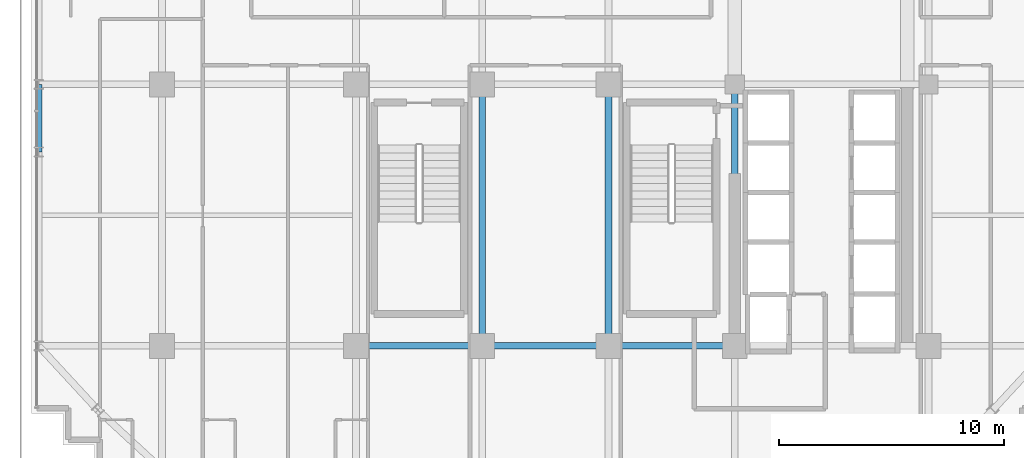
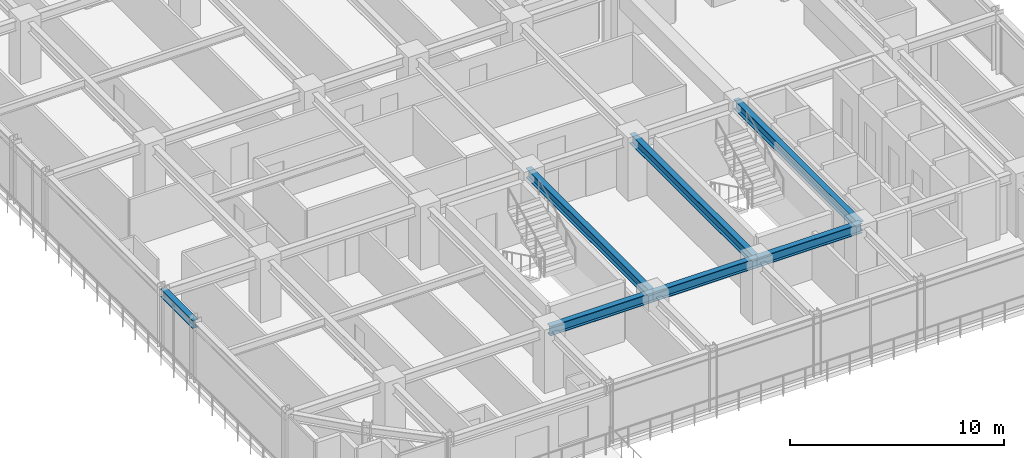
# One storey, part 6 of 33: 7 beams.
"""IFC4 building model written with IfcOpenShell, lengths in metres."""

from ifc_helpers import new_model, si_unit, direction, frame, origin, origin_2d, place, context, subcontext, project, spatial, i_section, extrude, source, transform, mapped, material, material_profile, profile_set, type_object, element, save


model = new_model("IFC4")

# Units and contexts
model_context = context("Model", 3, precision=1e-05, world=origin(), true_north=direction((0.0, 1.0)))
body_context = subcontext(model_context, "Body", "Model", "MODEL_VIEW")
ifc_project = project(units=[si_unit("LENGTHUNIT", "METRE"), si_unit("AREAUNIT", "SQUARE_METRE"), si_unit("VOLUMEUNIT", "CUBIC_METRE"), si_unit("PLANEANGLEUNIT", "RADIAN"), si_unit("MASSUNIT", "GRAM", prefix="KILO")], contexts=[model_context])

# Site, building, storey
site_placement = place(None, origin())
site = spatial("IfcSite", under=ifc_project, at=site_placement, CompositionType="ELEMENT")
building_placement = place(site_placement, origin())
building = spatial("IfcBuilding", under=site, at=building_placement, Name="Nahalor Promenade Grand Hotel", CompositionType="ELEMENT")
storey_placement = place(building_placement, frame((0.0, 0.0, 149.0)))
storey = spatial("IfcBuildingStorey", under=building, at=storey_placement, Name="L37", CompositionType="ELEMENT", Elevation=149.0)

# Beams
ifc_material = material(Name="Steel S355JR", Category="steel")
ifc_material_profile_1 = material_profile(ifc_material, i_section(OverallWidth=0.3, OverallDepth=0.55, WebThickness=0.015, FlangeThickness=0.029, at=origin_2d()), Name="HEB 550")
ifc_profile_set_1 = profile_set([ifc_material_profile_1], Name="Steel S355JR")
beam_type_1 = type_object("IfcBeamType", Name="Beam-Girder-HEB550", PredefinedType="BEAM", material=ifc_profile_set_1)
shared_shape_1 = source(origin(), body_context, "Body", "SweptSolid", [
    extrude(i_section(OverallWidth=0.3, OverallDepth=0.55, WebThickness=0.015, FlangeThickness=0.029, at=origin_2d()), origin(), (0.0, 0.0, 1.0), 5.599853515625),
])
for number, where, z_axis, x_axis, name in (
    (1, (-8.39990234375, -17.0, 3.114990234375), (1.0, 0.0, 0.0), (0.0, 1.0, 0.0), "BM-L37-GX-0-2"),
    (2, (2.800048828125, -17.0, 3.114990234375), (1.0, 0.0, 0.0), (0.0, 1.0, 0.0), "BM-L37-GX-0-4"),
):
    element("IfcBeam", number, at=place(storey_placement, frame(where, z_axis=z_axis, x_axis=x_axis)), inside=storey, type_object=beam_type_1, Name=name, PredefinedType="BEAM", context=body_context, shape_type="MappedRepresentation", body=[
        mapped(shared_shape_1, transform((0.0, 0.0, 0.0), scale=1.0)),
    ])
shared_shape_2 = source(origin(), body_context, "Body", "SweptSolid", [
    extrude(i_section(OverallWidth=0.3, OverallDepth=0.55, WebThickness=0.015, FlangeThickness=0.029, at=origin_2d()), origin(), (0.0, 0.0, 1.0), 5.60009765625),
])
beam_1_placement = place(storey_placement, frame((-2.800048828125, -17.0, 3.114990234375), z_axis=(1.0, 0.0, 0.0), x_axis=(0.0, 1.0, 0.0)))
element("IfcBeam", 3, at=beam_1_placement, inside=storey, type_object=beam_type_1, Name="BM-L37-GX-0-3", PredefinedType="BEAM", context=body_context, shape_type="MappedRepresentation", body=[
    mapped(shared_shape_2, transform((0.0, 0.0, 0.0), scale=1.0)),
])
shared_shape_3 = source(origin(), body_context, "Body", "SweptSolid", [
    extrude(i_section(OverallWidth=0.3, OverallDepth=0.55, WebThickness=0.015, FlangeThickness=0.029, at=origin_2d()), origin(), (0.0, 0.0, 1.0), 11.60009765625),
])
for number, where, z_axis, x_axis, name in (
    (4, (-2.800048828125, -17.0, 3.114990234375), (0.0, 1.0, 0.0), (-1.0, 0.0, 0.0), "BM-L37-GY-2-1"),
    (5, (2.800048828125, -17.0, 3.114990234375), (0.0, 1.0, 0.0), (-1.0, 0.0, 0.0), "BM-L37-GY-3-1"),
    (6, (8.39990234375, -17.0, 3.114990234375), (0.0, 1.0, 0.0), (-1.0, 0.0, 0.0), "BM-L37-GY-4-1"),
):
    element("IfcBeam", number, at=place(storey_placement, frame(where, z_axis=z_axis, x_axis=x_axis)), inside=storey, type_object=beam_type_1, Name=name, PredefinedType="BEAM", context=body_context, shape_type="MappedRepresentation", body=[
        mapped(shared_shape_3, transform((0.0, 0.0, 0.0), scale=1.0)),
    ])
ifc_material_profile_2 = material_profile(ifc_material, i_section(OverallWidth=0.3, OverallDepth=0.45, WebThickness=0.014, FlangeThickness=0.026, at=origin_2d()), Name="HEB 450")
ifc_profile_set_2 = profile_set([ifc_material_profile_2], Name="Steel S355JR")
beam_type_2 = type_object("IfcBeamType", Name="Beam-Spandrel-HEB450", PredefinedType="SPANDREL", material=ifc_profile_set_2)
shared_shape_4 = source(origin(), body_context, "Body", "SweptSolid", [
    extrude(i_section(OverallWidth=0.3, OverallDepth=0.45, WebThickness=0.014, FlangeThickness=0.026, at=origin_2d()), origin(), (0.0, 0.0, 1.0), 3.0),
])
beam_2_placement = place(storey_placement, frame((-22.47998046875, -8.39990234375, 3.1650390625), z_axis=(0.0, 1.0, 0.0), x_axis=(-1.0, 0.0, 0.0)))
element("IfcBeam", 7, at=beam_2_placement, inside=storey, type_object=beam_type_2, Name="BM-L37-SP-W-1", PredefinedType="SPANDREL", context=body_context, shape_type="MappedRepresentation", body=[
    mapped(shared_shape_4, transform((0.0, 0.0, 0.0), scale=1.0)),
])

save(model, "model.ifc")
